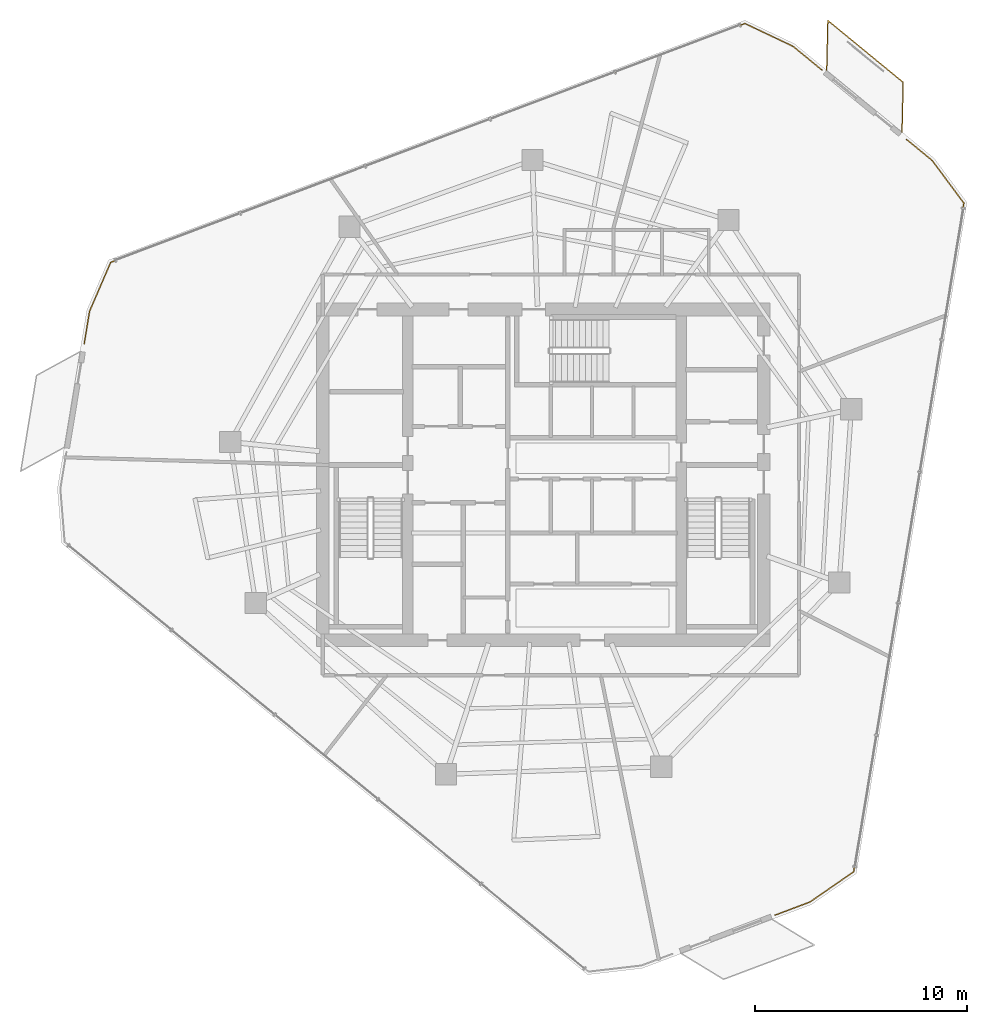
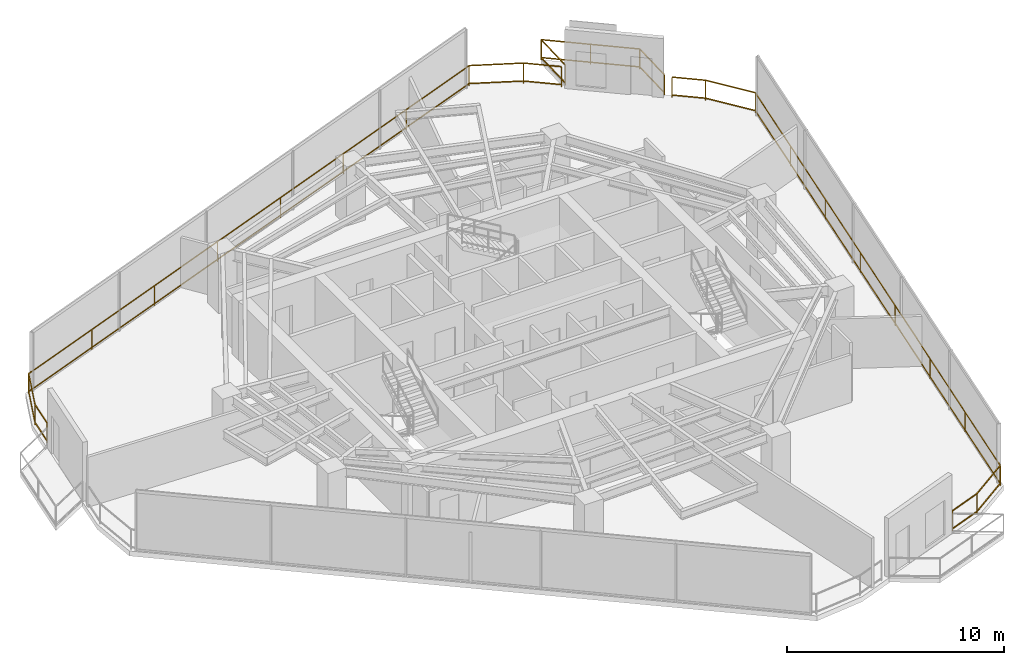
# One storey, part 19 of 19: 4 railings.
"""IFC4 building model written with IfcOpenShell, lengths in metres."""

from ifc_helpers import new_model, si_unit, direction, frame, origin, origin_2d, place, context, subcontext, project, spatial, rectangle, extrude, material, type_object, element, save


model = new_model("IFC4")

# Units and contexts
model_context = context("Model", 3, precision=1e-05, world=origin(), true_north=direction((0.0, 1.0)))
body_context = subcontext(model_context, "Body", "Model", "MODEL_VIEW")
ifc_project = project(units=[si_unit("LENGTHUNIT", "METRE"), si_unit("AREAUNIT", "SQUARE_METRE"), si_unit("VOLUMEUNIT", "CUBIC_METRE"), si_unit("PLANEANGLEUNIT", "RADIAN"), si_unit("MASSUNIT", "GRAM", prefix="KILO")], contexts=[model_context])

# Site, building, storey
site_placement = place(None, origin())
site = spatial("IfcSite", under=ifc_project, at=site_placement, CompositionType="ELEMENT")
building_placement = place(site_placement, origin())
building = spatial("IfcBuilding", under=site, at=building_placement, Name="Qarnah Convention Tower", CompositionType="ELEMENT")
storey_placement = place(building_placement, frame((0.0, 0.0, 143.699951171875)))
storey = spatial("IfcBuildingStorey", under=building, at=storey_placement, Name="L38", CompositionType="ELEMENT", Elevation=143.699951171875)

# Railings
ifc_material = material(Name="Black anodised aluminium", Category="aluminium")
railing_type = type_object("IfcRailingType", Name="RL-EXT-GUARD-1150", PredefinedType="GUARDRAIL", material=ifc_material)
railing_1_placement = place(storey_placement, frame((48.972900390625, 46.60888671875, 0.0)))
element("IfcRailing", 1, at=railing_1_placement, inside=storey, type_object=railing_type, Name="L38 slab-edge perimeter safety guard 01", PredefinedType="GUARDRAIL", context=body_context, shape_type="SweptSolid", body=[
    extrude(rectangle(XDim=0.048095703125, YDim=0.048095703125, at=origin_2d()), frame((0.0, 0.0, 1.1259765625), z_axis=(0.773064691604, -0.634327188914, 0.0), x_axis=(0.634327188914, 0.773064691604, 0.0)), (0.0, 0.0, 1.0), 1.7685546875),
    extrude(rectangle(XDim=0.048095703125, YDim=0.048095703125, at=origin_2d()), frame((0.0, 0.0, 0.1201171875), z_axis=(0.773064691604, -0.634327188914, 0.0), x_axis=(0.634327188914, 0.773064691604, 0.0)), (0.0, 0.0, 1.0), 1.7685546875),
    extrude(rectangle(XDim=0.0419921875, YDim=0.0419921875, at=origin_2d()), origin(), (0.0, 0.0, 1.0), 1.101806640625),
    extrude(rectangle(XDim=0.0419921875, YDim=0.0419921875, at=origin_2d()), frame((1.3671875, -1.121826171875, 0.0)), (0.0, 0.0, 1.0), 1.101806640625),
])
railing_2_placement = place(storey_placement, frame((54.3291015625, 42.215087890625, 0.0)))
element("IfcRailing", 2, at=railing_2_placement, inside=storey, type_object=railing_type, Name="L38 slab-edge perimeter safety guard 02", PredefinedType="GUARDRAIL", context=body_context, shape_type="SweptSolid", body=[
    extrude(rectangle(XDim=0.048095703125, YDim=0.048095703125, at=origin_2d()), frame((0.0, 0.0, 1.1259765625), z_axis=(0.773244742436, -0.634107694557, 0.0), x_axis=(0.634107694557, 0.773244742436, 0.0)), (0.0, 0.0, 1.0), 1.55810546875),
    extrude(rectangle(XDim=0.048095703125, YDim=0.048095703125, at=origin_2d()), frame((0.0, 0.0, 0.1201171875), z_axis=(0.773244742436, -0.634107694557, 0.0), x_axis=(0.634107694557, 0.773244742436, 0.0)), (0.0, 0.0, 1.0), 1.55810546875),
    extrude(rectangle(XDim=0.048095703125, YDim=0.048095703125, at=origin_2d()), frame((1.204833984375, -0.988037109375, 1.1259765625), z_axis=(0.59635264979, -0.802722565454, 0.0), x_axis=(0.802722565454, 0.59635264979, 0.0)), (0.0, 0.0, 1.0), 2.510498046875),
    extrude(rectangle(XDim=0.048095703125, YDim=0.048095703125, at=origin_2d()), frame((1.204833984375, -0.988037109375, 0.1201171875), z_axis=(0.59635264979, -0.802722565454, 0.0), x_axis=(0.802722565454, 0.59635264979, 0.0)), (0.0, 0.0, 1.0), 2.510498046875),
    extrude(rectangle(XDim=0.048095703125, YDim=0.048095703125, at=origin_2d()), frame((2.701904296875, -3.003173828125, 1.1259765625), z_axis=(-0.162613644895, -0.986689820812, 0.0), x_axis=(0.986689820812, -0.162613644895, 0.0)), (0.0, 0.0, 1.0), 31.959228515625),
    extrude(rectangle(XDim=0.048095703125, YDim=0.048095703125, at=origin_2d()), frame((2.701904296875, -3.003173828125, 0.1201171875), z_axis=(-0.162613644895, -0.986689820812, 0.0), x_axis=(0.986689820812, -0.162613644895, 0.0)), (0.0, 0.0, 1.0), 31.959228515625),
    extrude(rectangle(XDim=0.048095703125, YDim=0.048095703125, at=origin_2d()), frame((-2.4951171875, -34.537109375, 1.1259765625), z_axis=(-0.822671613112, -0.568516857252, 0.0), x_axis=(0.568516857252, -0.822671613112, 0.0)), (0.0, 0.0, 1.0), 2.510009765625),
    extrude(rectangle(XDim=0.048095703125, YDim=0.048095703125, at=origin_2d()), frame((-2.4951171875, -34.537109375, 0.1201171875), z_axis=(-0.822671613112, -0.568516857252, 0.0), x_axis=(0.568516857252, -0.822671613112, 0.0)), (0.0, 0.0, 1.0), 2.510009765625),
    extrude(rectangle(XDim=0.048095703125, YDim=0.048095703125, at=origin_2d()), frame((-4.56005859375, -35.964111328125, 1.1259765625), z_axis=(-0.935948699578, -0.352136382327, 0.0), x_axis=(0.352136382327, -0.935948699578, 0.0)), (0.0, 0.0, 1.0), 1.769287109375),
    extrude(rectangle(XDim=0.048095703125, YDim=0.048095703125, at=origin_2d()), frame((-4.56005859375, -35.964111328125, 0.1201171875), z_axis=(-0.935948699578, -0.352136382327, 0.0), x_axis=(0.352136382327, -0.935948699578, 0.0)), (0.0, 0.0, 1.0), 1.769287109375),
    extrude(rectangle(XDim=0.0419921875, YDim=0.0419921875, at=origin_2d()), origin(), (0.0, 0.0, 1.0), 1.101806640625),
    extrude(rectangle(XDim=0.0419921875, YDim=0.0419921875, at=origin_2d()), frame((1.204833984375, -0.988037109375, 0.0)), (0.0, 0.0, 1.0), 1.101806640625),
    extrude(rectangle(XDim=0.0419921875, YDim=0.0419921875, at=origin_2d()), frame((2.701904296875, -3.003173828125, 0.0)), (0.0, 0.0, 1.0), 1.101806640625),
    extrude(rectangle(XDim=0.0419921875, YDim=0.0419921875, at=origin_2d()), frame((1.95947265625, -7.508056640625, 0.0)), (0.0, 0.0, 1.0), 1.101806640625),
    extrude(rectangle(XDim=0.0419921875, YDim=0.0419921875, at=origin_2d()), frame((1.217041015625, -12.012939453125, 0.0)), (0.0, 0.0, 1.0), 1.101806640625),
    extrude(rectangle(XDim=0.0419921875, YDim=0.0419921875, at=origin_2d()), frame((0.474609375, -16.517822265625, 0.0)), (0.0, 0.0, 1.0), 1.101806640625),
    extrude(rectangle(XDim=0.0419921875, YDim=0.0419921875, at=origin_2d()), frame((-0.267822265625, -21.0224609375, 0.0)), (0.0, 0.0, 1.0), 1.101806640625),
    extrude(rectangle(XDim=0.0419921875, YDim=0.0419921875, at=origin_2d()), frame((-1.01025390625, -25.52734375, 0.0)), (0.0, 0.0, 1.0), 1.101806640625),
    extrude(rectangle(XDim=0.0419921875, YDim=0.0419921875, at=origin_2d()), frame((-1.752685546875, -30.0322265625, 0.0)), (0.0, 0.0, 1.0), 1.101806640625),
    extrude(rectangle(XDim=0.0419921875, YDim=0.0419921875, at=origin_2d()), frame((-2.4951171875, -34.537109375, 0.0)), (0.0, 0.0, 1.0), 1.101806640625),
    extrude(rectangle(XDim=0.0419921875, YDim=0.0419921875, at=origin_2d()), frame((-4.56005859375, -35.964111328125, 0.0)), (0.0, 0.0, 1.0), 1.101806640625),
    extrude(rectangle(XDim=0.0419921875, YDim=0.0419921875, at=origin_2d()), frame((-6.216064453125, -36.587158203125, 0.0)), (0.0, 0.0, 1.0), 1.101806640625),
])
railing_3_placement = place(storey_placement, frame((15.5458984375, 32.574951171875, 0.0)))
element("IfcRailing", 3, at=railing_3_placement, inside=storey, type_object=railing_type, Name="L38 slab-edge perimeter safety guard 04", PredefinedType="GUARDRAIL", context=body_context, shape_type="SweptSolid", body=[
    extrude(rectangle(XDim=0.048095703125, YDim=0.048095703125, at=origin_2d()), frame((0.0, 0.0, 1.1259765625), z_axis=(0.162417592043, 0.986722111739, 0.0), x_axis=(-0.986722111739, 0.162417592043, 0.0)), (0.0, 0.0, 1.0), 1.558837890625),
    extrude(rectangle(XDim=0.048095703125, YDim=0.048095703125, at=origin_2d()), frame((0.0, 0.0, 0.1201171875), z_axis=(0.162417592043, 0.986722111739, 0.0), x_axis=(-0.986722111739, 0.162417592043, 0.0)), (0.0, 0.0, 1.0), 1.558837890625),
    extrude(rectangle(XDim=0.048095703125, YDim=0.048095703125, at=origin_2d()), frame((0.253173828125, 1.5380859375, 1.1259765625), z_axis=(0.396616676392, 0.917984320132, 0.0), x_axis=(-0.917984320132, 0.396616676392, 0.0)), (0.0, 0.0, 1.0), 2.5107421875),
    extrude(rectangle(XDim=0.048095703125, YDim=0.048095703125, at=origin_2d()), frame((0.253173828125, 1.5380859375, 0.1201171875), z_axis=(0.396616676392, 0.917984320132, 0.0), x_axis=(-0.917984320132, 0.396616676392, 0.0)), (0.0, 0.0, 1.0), 2.5107421875),
    extrude(rectangle(XDim=0.048095703125, YDim=0.048095703125, at=origin_2d()), frame((1.2490234375, 3.843017578125, 1.1259765625), z_axis=(0.935812077394, 0.352499299012, 0.0), x_axis=(-0.352499299012, 0.935812077394, 0.0)), (0.0, 0.0, 1.0), 31.960693359375),
    extrude(rectangle(XDim=0.048095703125, YDim=0.048095703125, at=origin_2d()), frame((1.2490234375, 3.843017578125, 0.1201171875), z_axis=(0.935812077394, 0.352499299012, 0.0), x_axis=(-0.352499299012, 0.935812077394, 0.0)), (0.0, 0.0, 1.0), 31.960693359375),
    extrude(rectangle(XDim=0.048095703125, YDim=0.048095703125, at=origin_2d()), frame((31.158203125, 15.109130859375, 1.1259765625), z_axis=(0.903660603397, -0.428249359449, 0.0), x_axis=(0.428249359449, 0.903660603397, 0.0)), (0.0, 0.0, 1.0), 2.5107421875),
    extrude(rectangle(XDim=0.048095703125, YDim=0.048095703125, at=origin_2d()), frame((31.158203125, 15.109130859375, 0.1201171875), z_axis=(0.903660603397, -0.428249359449, 0.0), x_axis=(0.428249359449, 0.903660603397, 0.0)), (0.0, 0.0, 1.0), 2.5107421875),
    extrude(rectangle(XDim=0.0419921875, YDim=0.0419921875, at=origin_2d()), origin(), (0.0, 0.0, 1.0), 1.101806640625),
    extrude(rectangle(XDim=0.0419921875, YDim=0.0419921875, at=origin_2d()), frame((0.253173828125, 1.5380859375, 0.0)), (0.0, 0.0, 1.0), 1.101806640625),
    extrude(rectangle(XDim=0.0419921875, YDim=0.0419921875, at=origin_2d()), frame((1.2490234375, 3.843017578125, 0.0)), (0.0, 0.0, 1.0), 1.101806640625),
    extrude(rectangle(XDim=0.0419921875, YDim=0.0419921875, at=origin_2d()), frame((5.521728515625, 5.452392578125, 0.0)), (0.0, 0.0, 1.0), 1.101806640625),
    extrude(rectangle(XDim=0.0419921875, YDim=0.0419921875, at=origin_2d()), frame((9.79443359375, 7.06201171875, 0.0)), (0.0, 0.0, 1.0), 1.101806640625),
    extrude(rectangle(XDim=0.0419921875, YDim=0.0419921875, at=origin_2d()), frame((14.067138671875, 8.67138671875, 0.0)), (0.0, 0.0, 1.0), 1.101806640625),
    extrude(rectangle(XDim=0.0419921875, YDim=0.0419921875, at=origin_2d()), frame((18.340087890625, 10.28076171875, 0.0)), (0.0, 0.0, 1.0), 1.101806640625),
    extrude(rectangle(XDim=0.0419921875, YDim=0.0419921875, at=origin_2d()), frame((22.61279296875, 11.89013671875, 0.0)), (0.0, 0.0, 1.0), 1.101806640625),
    extrude(rectangle(XDim=0.0419921875, YDim=0.0419921875, at=origin_2d()), frame((26.885498046875, 13.499755859375, 0.0)), (0.0, 0.0, 1.0), 1.101806640625),
    extrude(rectangle(XDim=0.0419921875, YDim=0.0419921875, at=origin_2d()), frame((31.158203125, 15.109130859375, 0.0)), (0.0, 0.0, 1.0), 1.101806640625),
    extrude(rectangle(XDim=0.0419921875, YDim=0.0419921875, at=origin_2d()), frame((33.427001953125, 14.033935546875, 0.0)), (0.0, 0.0, 1.0), 1.101806640625),
])
railing_4_placement = place(storey_placement, frame((50.56005859375, 45.48095703125, 0.0)))
element("IfcRailing", 4, at=railing_4_placement, inside=storey, type_object=railing_type, Name="L38 balcony safety guard BAL-L38-C1", PredefinedType="GUARDRAIL", context=body_context, shape_type="SweptSolid", body=[
    extrude(rectangle(XDim=0.048095703125, YDim=0.048095703125, at=origin_2d()), frame((0.0, 0.0, 1.1259765625), z_axis=(0.023815151441, 0.99971637906, 0.0), x_axis=(-0.99971637906, 0.023815151441, 0.0)), (0.0, 0.0, 1.0), 2.34765625),
    extrude(rectangle(XDim=0.048095703125, YDim=0.048095703125, at=origin_2d()), frame((0.0, 0.0, 0.1201171875), z_axis=(0.023815151441, 0.99971637906, 0.0), x_axis=(-0.99971637906, 0.023815151441, 0.0)), (0.0, 0.0, 1.0), 2.34765625),
    extrude(rectangle(XDim=0.048095703125, YDim=0.048095703125, at=origin_2d()), frame((0.055908203125, 2.346923828125, 1.1259765625), z_axis=(0.773062693193, -0.634329624402, 0.0), x_axis=(0.634329624402, 0.773062693193, 0.0)), (0.0, 0.0, 1.0), 4.60009765625),
    extrude(rectangle(XDim=0.048095703125, YDim=0.048095703125, at=origin_2d()), frame((0.055908203125, 2.346923828125, 0.1201171875), z_axis=(0.773062693193, -0.634329624402, 0.0), x_axis=(0.634329624402, 0.773062693193, 0.0)), (0.0, 0.0, 1.0), 4.60009765625),
    extrude(rectangle(XDim=0.048095703125, YDim=0.048095703125, at=origin_2d()), frame((3.612060546875, -0.571044921875, 1.1259765625), z_axis=(-0.023503336046, -0.999723758443, 0.0), x_axis=(0.999723758443, -0.023503336046, 0.0)), (0.0, 0.0, 1.0), 2.34765625),
    extrude(rectangle(XDim=0.048095703125, YDim=0.048095703125, at=origin_2d()), frame((3.612060546875, -0.571044921875, 0.1201171875), z_axis=(-0.023503336046, -0.999723758443, 0.0), x_axis=(0.999723758443, -0.023503336046, 0.0)), (0.0, 0.0, 1.0), 2.34765625),
    extrude(rectangle(XDim=0.0419921875, YDim=0.0419921875, at=origin_2d()), origin(), (0.0, 0.0, 1.0), 1.101806640625),
    extrude(rectangle(XDim=0.0419921875, YDim=0.0419921875, at=origin_2d()), frame((0.055908203125, 2.346923828125, 0.0)), (0.0, 0.0, 1.0), 1.101806640625),
    extrude(rectangle(XDim=0.0419921875, YDim=0.0419921875, at=origin_2d()), frame((1.833984375, 0.887939453125, 0.0)), (0.0, 0.0, 1.0), 1.101806640625),
    extrude(rectangle(XDim=0.0419921875, YDim=0.0419921875, at=origin_2d()), frame((3.612060546875, -0.571044921875, 0.0)), (0.0, 0.0, 1.0), 1.101806640625),
    extrude(rectangle(XDim=0.0419921875, YDim=0.0419921875, at=origin_2d()), frame((3.556884765625, -2.91796875, 0.0)), (0.0, 0.0, 1.0), 1.101806640625),
])

save(model, "model.ifc")
